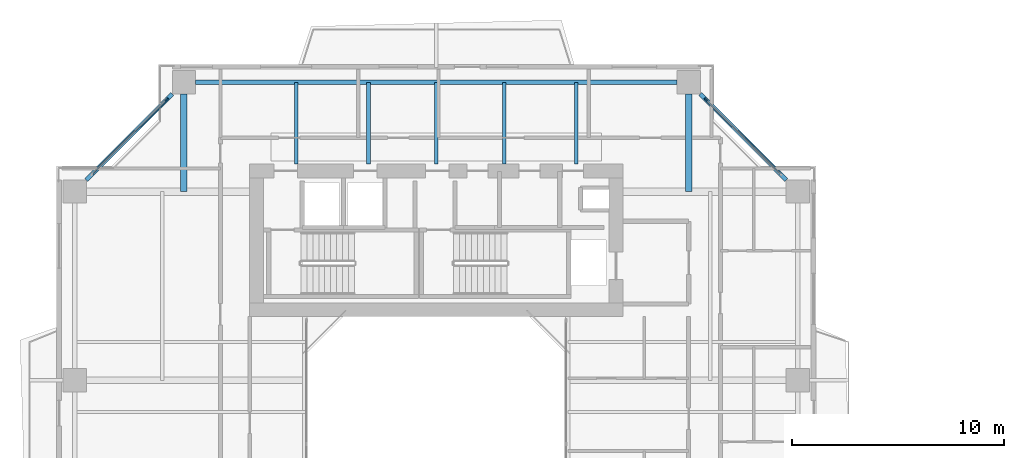
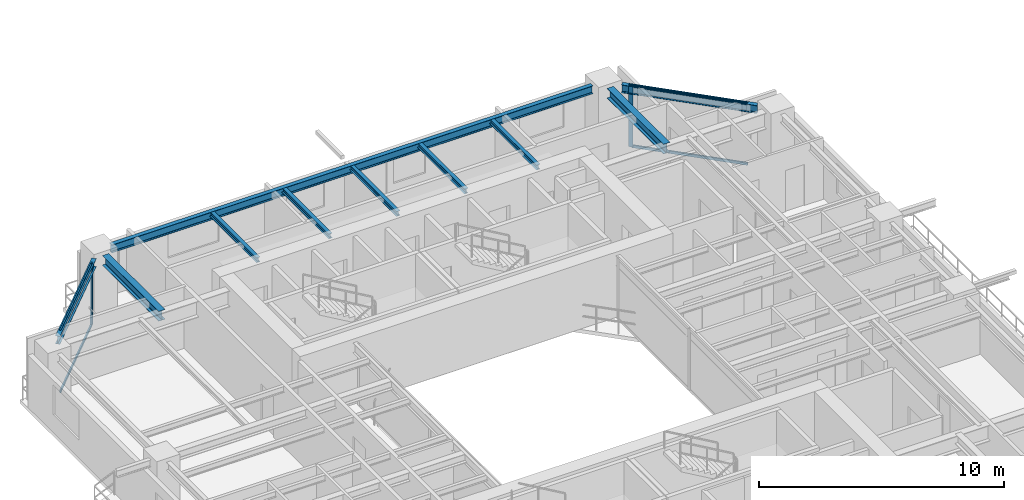
# One storey, part 10 of 23: 10 beams, 6 members, 2 elements without a shape of their own.
"""IFC4 building model written with IfcOpenShell, lengths in metres."""

import ifcopenshell
import ifcopenshell.guid

model = None  # the IFC model being written
_history = None  # IfcOwnerHistory: only IFC2X3 demands one
_inside = {}  # id of a spatial element -> (the spatial element, [elements in it])
_under = {}  # id of a project, library or spatial element -> (it, [spatial elements below it])
_declared = {}  # id of a project -> (the project, [libraries it declares])
_typed = {}  # id of a type object -> (the type object, [elements of that type])
_made_of = {}  # id of a material, layer set ... -> (it, [elements and type objects made of it])


def new_model(schema):
    """Start an empty IFC model of exactly this schema.

    Asked for "IFC4X3", IfcOpenShell would pick the latest addendum, in which some entities
    have other attributes; the version numbers below select the first issue.
    IFC2X3 requires an IfcOwnerHistory on every rooted entity: one is made here for all.
    """
    global model, _history
    if schema == "IFC4X3":
        model = ifcopenshell.file(schema_version=(4, 3, 0, 0))
    else:
        model = ifcopenshell.file(schema=schema)
    _inside.clear()
    _under.clear()
    _declared.clear()
    _typed.clear()
    _made_of.clear()
    _history = None
    if model.schema == "IFC2X3":
        org = make("IfcOrganization", Name="unknown")
        user = make(
            "IfcPersonAndOrganization",
            ThePerson=make("IfcPerson", FamilyName="unknown"),
            TheOrganization=org,
        )
        app = make(
            "IfcApplication",
            ApplicationDeveloper=org,
            Version="unknown",
            ApplicationFullName="unknown",
            ApplicationIdentifier="unknown",
        )
        _history = make(
            "IfcOwnerHistory",
            OwningUser=user,
            OwningApplication=app,
            ChangeAction="ADDED",
            CreationDate=0,
        )
    return model


def make(cls, **values):
    """One entity of the class cls with the attributes given. An attribute that is None is left unset."""
    return model.create_entity(
        cls, **{name: value for name, value in values.items() if value is not None}
    )


def rooted(cls, **values):
    """An entity with a GlobalId (a new one), such as an element, a storey or a relation."""
    return make(cls, GlobalId=ifcopenshell.guid.new(), OwnerHistory=_history, **values)


def si_unit(unit_type, name, prefix=None):
    """IfcSIUnit, for example si_unit("LENGTHUNIT", "METRE", prefix="MILLI")."""
    return make("IfcSIUnit", UnitType=unit_type, Prefix=prefix, Name=name)


def assignment(units):
    """IfcUnitAssignment: the units of a project."""
    return None if units is None else make("IfcUnitAssignment", Units=units)


def point(xyz):
    """IfcCartesianPoint."""
    return None if xyz is None else make("IfcCartesianPoint", Coordinates=xyz)


def direction(xyz):
    """IfcDirection."""
    return None if xyz is None else make("IfcDirection", DirectionRatios=xyz)


def frame(location, z_axis=None, x_axis=None):
    """IfcAxis2Placement3D, a coordinate frame: its origin and axes. An axis left out is left unset."""
    return make(
        "IfcAxis2Placement3D",
        Location=point(location),
        Axis=direction(z_axis),
        RefDirection=direction(x_axis),
    )


def frame_2d(location, x_axis=None):
    """IfcAxis2Placement2D, a coordinate frame in the plane: its origin and x axis."""
    return make(
        "IfcAxis2Placement2D", Location=point(location), RefDirection=direction(x_axis)
    )


def origin():
    """The frame at (0, 0, 0) with its axes left unset."""
    return frame((0.0, 0.0, 0.0))


def origin_2d():
    """The frame at (0, 0) in the plane with its x axis left unset."""
    return frame_2d((0.0, 0.0))


def place(relative_to, where):
    """IfcLocalPlacement: puts the frame where relative to a parent placement (None: the world)."""
    return make(
        "IfcLocalPlacement", PlacementRelTo=relative_to, RelativePlacement=where
    )


def context(
    kind, dimensions, precision=None, world=None, true_north=None, identifier=None
):
    """IfcGeometricRepresentationContext, for example the 3D "Model" context."""
    return make(
        "IfcGeometricRepresentationContext",
        ContextIdentifier=identifier,
        ContextType=kind,
        CoordinateSpaceDimension=dimensions,
        Precision=precision,
        WorldCoordinateSystem=world,
        TrueNorth=true_north,
    )


def subcontext(parent, identifier, kind, view, scale=None):
    """IfcGeometricRepresentationSubContext, for example "Body" below "Model"."""
    return make(
        "IfcGeometricRepresentationSubContext",
        ContextIdentifier=identifier,
        ContextType=kind,
        ParentContext=parent,
        TargetScale=scale,
        TargetView=view,
    )


def project(units=None, contexts=None):
    """IfcProject with its units and contexts."""
    return rooted(
        "IfcProject",
        Name="project",
        RepresentationContexts=contexts,
        UnitsInContext=assignment(units),
    )


def spatial(cls, under=None, at=None, **own):
    """A site, building, storey or space (cls), placed at a placement, below another one or the project."""
    s = rooted(cls, ObjectPlacement=at, **own)
    if under is not None:
        _under.setdefault(under.id(), (under, []))[1].append(s)
    return s


def profile(cls, at=None, kind="AREA", **sizes):
    """A parametric profile (cls). Its sizes go by their IFC names, for example OverallWidth=200.0."""
    return make(cls, ProfileType=kind, Position=at, **sizes)


def rectangle(**sizes):
    """IfcRectangleProfileDef."""
    return profile("IfcRectangleProfileDef", **sizes)


def i_section(**sizes):
    """IfcIShapeProfileDef."""
    return profile("IfcIShapeProfileDef", **sizes)


def extrude(swept, where, along, depth):
    """IfcExtrudedAreaSolid: the profile swept, set in the frame where, extruded along a direction by depth."""
    return make(
        "IfcExtrudedAreaSolid",
        SweptArea=swept,
        Position=where,
        ExtrudedDirection=direction(along),
        Depth=depth,
    )


def shape(context_of_items, identifier, shape_type, items):
    """IfcShapeRepresentation: the items that make up one representation, for example the "Body"."""
    return make(
        "IfcShapeRepresentation",
        ContextOfItems=context_of_items,
        RepresentationIdentifier=identifier,
        RepresentationType=shape_type,
        Items=items,
    )


def source(mapping_origin, context_of_items, identifier, shape_type, items):
    """IfcRepresentationMap: a shape defined once, which mapped items show again and again."""
    return make(
        "IfcRepresentationMap",
        MappingOrigin=mapping_origin,
        MappedRepresentation=shape(context_of_items, identifier, shape_type, items),
    )


def transform(
    local_origin,
    x_axis=None,
    y_axis=None,
    z_axis=None,
    scale=None,
    scale2=None,
    scale3=None,
    uniform=True,
):
    """IfcCartesianTransformationOperator3D, or its non-uniform kind. x_axis, y_axis, z_axis: its Axis1, 2, 3."""
    if uniform:
        return make(
            "IfcCartesianTransformationOperator3D",
            Axis1=direction(x_axis),
            Axis2=direction(y_axis),
            LocalOrigin=point(local_origin),
            Scale=scale,
            Axis3=direction(z_axis),
        )
    return make(
        "IfcCartesianTransformationOperator3DnonUniform",
        Axis1=direction(x_axis),
        Axis2=direction(y_axis),
        LocalOrigin=point(local_origin),
        Scale=scale,
        Axis3=direction(z_axis),
        Scale2=scale2,
        Scale3=scale3,
    )


def mapped(mapping_source, mapping_target):
    """IfcMappedItem: shows the shape of a source again, moved by a transform."""
    return make(
        "IfcMappedItem", MappingSource=mapping_source, MappingTarget=mapping_target
    )


def material(Name=None, Category=None):
    """IfcMaterial."""
    return make("IfcMaterial", Name=Name, Category=Category)


def layer(
    of_material, thickness, ventilated=None, Name=None, Category=None, Priority=None
):
    """IfcMaterialLayer: one layer of a wall or slab, of a material (None: an air gap)."""
    return make(
        "IfcMaterialLayer",
        Material=of_material,
        LayerThickness=thickness,
        IsVentilated=ventilated,
        Name=Name,
        Category=Category,
        Priority=Priority,
    )


def layer_set(layers, Name=None):
    """IfcMaterialLayerSet."""
    return make("IfcMaterialLayerSet", MaterialLayers=layers, LayerSetName=Name)


def material_profile(
    of_material, cross_section, Name=None, Category=None, Priority=None
):
    """IfcMaterialProfile: a cross section and its material."""
    return make(
        "IfcMaterialProfile",
        Name=Name,
        Material=of_material,
        Profile=cross_section,
        Priority=Priority,
        Category=Category,
    )


def profile_set(profiles, Name=None, composite=None):
    """IfcMaterialProfileSet."""
    return make(
        "IfcMaterialProfileSet",
        Name=Name,
        MaterialProfiles=profiles,
        CompositeProfile=composite,
    )


def made_of(thing, what):
    """Note that an element or type object is made of a material, layer set ...; save() writes the relation."""
    if what is not None:
        _made_of.setdefault(what.id(), (what, []))[1].append(thing)
    return thing


def type_object(cls, material=None, **own):
    """A type object (cls), such as IfcWallType, which elements share."""
    return made_of(rooted(cls, **own), material)


def element(
    cls,
    number,
    at=None,
    inside=None,
    cuts=None,
    type_object=None,
    material=None,
    context=None,
    identifier="Body",
    shape_type=None,
    held_by="IfcProductDefinitionShape",
    body=None,
    shapes=None,
    **own,
):
    """One element of the class cls, such as IfcWall. Its Tag is "e" and its number.

    at: its placement. inside: the storey or other place that contains it. cuts: it is an
    opening in that element (IfcRelVoidsElement). A single representation is given by context,
    identifier, shape_type and body (its items); several are given by shapes. held_by: the class
    of the entity that holds the representations. save() writes the other relations.
    """
    e = rooted(cls, Tag="e%d" % number, ObjectPlacement=at, **own)
    if body is not None:
        shapes = [shape(context, identifier, shape_type, body)]
    if shapes is not None:
        e.Representation = make(held_by, Representations=shapes)
    if inside is not None:
        _inside.setdefault(inside.id(), (inside, []))[1].append(e)
    if cuts is not None:
        rooted(
            "IfcRelVoidsElement", RelatingBuildingElement=cuts, RelatedOpeningElement=e
        )
    if type_object is not None:
        _typed.setdefault(type_object.id(), (type_object, []))[1].append(e)
    return made_of(e, material)


def aggregate(whole, parts):
    """IfcRelAggregates: a whole, such as a stair, and the parts it consists of."""
    return rooted("IfcRelAggregates", RelatingObject=whole, RelatedObjects=parts)


def save(model, path):
    """Write the relations noted so far, then the file.

    IfcRelAggregates (storeys below a building ...), IfcRelContainedInSpatialStructure (elements
    in a storey), IfcRelDefinesByType, IfcRelAssociatesMaterial and IfcRelDeclares: one each for
    every whole, place, type object, material and project.
    """
    for whole, parts in _under.values():
        aggregate(whole, parts)
    for where, things in _inside.values():
        rooted(
            "IfcRelContainedInSpatialStructure",
            RelatedElements=things,
            RelatingStructure=where,
        )
    for kind, things in _typed.values():
        rooted("IfcRelDefinesByType", RelatedObjects=things, RelatingType=kind)
    for what, things in _made_of.values():
        rooted("IfcRelAssociatesMaterial", RelatedObjects=things, RelatingMaterial=what)
    for by, libraries in _declared.values():
        rooted("IfcRelDeclares", RelatingContext=by, RelatedDefinitions=libraries)
    model.write(path)


model = new_model("IFC4")

# Units and contexts
model_context = context("Model", 3, precision=1e-05, world=origin(), true_north=direction((0.0, 1.0)))
body_context = subcontext(model_context, "Body", "Model", "MODEL_VIEW")
ifc_project = project(units=[si_unit("LENGTHUNIT", "METRE"), si_unit("AREAUNIT", "SQUARE_METRE"), si_unit("VOLUMEUNIT", "CUBIC_METRE"), si_unit("PLANEANGLEUNIT", "RADIAN"), si_unit("MASSUNIT", "GRAM", prefix="KILO"), si_unit("THERMODYNAMICTEMPERATUREUNIT", "KELVIN"), si_unit("POWERUNIT", "WATT")], contexts=[model_context])

# Site, building, storey
site_placement = place(None, origin())
site = spatial("IfcSite", under=ifc_project, at=site_placement, CompositionType="ELEMENT")
building_placement = place(site_placement, origin())
building = spatial("IfcBuilding", under=site, at=building_placement, Name="Qiaomeng Ring Towers", CompositionType="ELEMENT")
storey_placement = place(building_placement, frame((0.0, 0.0, 100.25)))
storey = spatial("IfcBuildingStorey", under=building, at=storey_placement, Name="L28", CompositionType="ELEMENT", Elevation=100.25)

# Beams
ifc_material_1 = material(Name="Steel Q355B", Category="steel")
ifc_material_profile_1 = material_profile(ifc_material_1, i_section(OverallWidth=0.199951171875, OverallDepth=0.39990234375, WebThickness=0.008056640625, FlangeThickness=0.012939453125, FilletRadius=0.01611328125, at=origin_2d()), Name="HN 400x200x8x13")
ifc_profile_set_1 = profile_set([ifc_material_profile_1], Name="Steel Q355B")
beam_type_1 = type_object("IfcBeamType", Name="STR-BM-HN400", PredefinedType="SPANDREL", material=ifc_profile_set_1)
shared_shape_1 = source(origin(), body_context, "Body", "SweptSolid", [
    extrude(i_section(OverallWidth=0.199951171875, OverallDepth=0.39990234375, WebThickness=0.008056640625, FlangeThickness=0.012939453125, FilletRadius=0.01611328125, at=origin_2d()), origin(), (0.0, 0.0, 1.0), 22.7021484375),
])
beam_placement = place(storey_placement, frame((30.35107421875, 40.050048828125, 2.8701171875), z_axis=(-1.0, 0.0, 0.0), x_axis=(0.0, -1.0, 0.0)))
element("IfcBeam", 1, at=beam_placement, inside=storey, type_object=beam_type_1, Name="L28 beam STR-SP-L28-T1-N2-N1", PredefinedType="SPANDREL", context=body_context, shape_type="MappedRepresentation", body=[
    mapped(shared_shape_1, transform((0.0, 0.0, 0.0), x_axis=(1.0, 0.0, 0.0), y_axis=(0.0, 1.0, 0.0), z_axis=(0.0, 0.0, 1.0), scale=1.0)),
])
shared_shape_2 = source(origin(), body_context, "Body", "SweptSolid", [
    extrude(i_section(OverallWidth=0.199951171875, OverallDepth=0.39990234375, WebThickness=0.008056640625, FlangeThickness=0.012939453125, FilletRadius=0.01611328125, at=origin_2d()), origin(), (0.0, 0.0, 1.0), 5.729736328125),
])
for number, where, z_axis, x_axis, name in (
    (2, (35.500732421875, 35.44921875, 2.8701171875), (-0.707106781187, 0.707106781187, 0.0), (-0.707106781187, -0.707106781187, 0.0), "L28 beam STR-SP-L28-T1-E4-N2"),
    (3, (6.55078125, 39.500732421875, 2.8701171875), (-0.707106781187, -0.707106781187, 0.0), (0.707106781187, -0.707106781187, 0.0), "L28 beam STR-SP-L28-T1-N1-W4"),
):
    element("IfcBeam", number, at=place(storey_placement, frame(where, z_axis=z_axis, x_axis=x_axis)), inside=storey, type_object=beam_type_1, Name=name, PredefinedType="SPANDREL", context=body_context, shape_type="MappedRepresentation", body=[
        mapped(shared_shape_2, transform((0.0, 0.0, 0.0), x_axis=(1.0, 0.0, 0.0), y_axis=(0.0, 1.0, 0.0), z_axis=(0.0, 0.0, 1.0), scale=1.0)),
    ])
ifc_material_profile_2 = material_profile(ifc_material_1, i_section(OverallWidth=0.300048828125, OverallDepth=0.488037109375, WebThickness=0.010986328125, FlangeThickness=0.01806640625, FilletRadius=0.02587890625, at=origin_2d()), Name="HM 488x300x11x18")
ifc_profile_set_2 = profile_set([ifc_material_profile_2], Name="Steel Q355B")
beam_type_2 = type_object("IfcBeamType", Name="STR-BM-HM488", PredefinedType="BEAM", material=ifc_profile_set_2)
shared_shape_3 = source(origin(), body_context, "Body", "SweptSolid", [
    extrude(i_section(OverallWidth=0.300048828125, OverallDepth=0.488037109375, WebThickness=0.010986328125, FlangeThickness=0.01806640625, FilletRadius=0.02587890625, at=origin_2d()), origin(), (0.0, 0.0, 1.0), 4.60107421875),
])
for number, where, z_axis, x_axis, name in (
    (4, (7.10009765625, 39.5009765625, 2.825927734375), (0.0, -1.0, 0.0), (1.0, 0.0, 0.0), "L28 beam STR-BM-L28-T1-RAD-N1"),
    (5, (30.89990234375, 39.5009765625, 2.825927734375), (0.0, -1.0, 0.0), (1.0, 0.0, 0.0), "L28 beam STR-BM-L28-T1-RAD-N2"),
):
    element("IfcBeam", number, at=place(storey_placement, frame(where, z_axis=z_axis, x_axis=x_axis)), inside=storey, type_object=beam_type_2, Name=name, PredefinedType="BEAM", context=body_context, shape_type="MappedRepresentation", body=[
        mapped(shared_shape_3, transform((0.0, 0.0, 0.0), x_axis=(1.0, 0.0, 0.0), y_axis=(0.0, 1.0, 0.0), z_axis=(0.0, 0.0, 1.0), scale=1.0)),
    ])
ifc_material_profile_3 = material_profile(ifc_material_1, i_section(OverallWidth=0.175048828125, OverallDepth=0.243896484375, WebThickness=0.007080078125, FlangeThickness=0.010986328125, FilletRadius=0.01611328125, at=origin_2d()), Name="HM 244x175x7x11")
ifc_profile_set_3 = profile_set([ifc_material_profile_3], Name="Steel Q355B")
beam_type_3 = type_object("IfcBeamType", Name="STR-BM-HM244", PredefinedType="JOIST", material=ifc_profile_set_3)
shared_shape_4 = source(origin(), body_context, "Body", "SweptSolid", [
    extrude(i_section(OverallWidth=0.175048828125, OverallDepth=0.243896484375, WebThickness=0.007080078125, FlangeThickness=0.010986328125, FilletRadius=0.01611328125, at=origin_2d()), origin(), (0.0, 0.0, 1.0), 3.85009765625),
])
for number, where, z_axis, x_axis, name in (
    (6, (12.39990234375, 36.199951171875, 2.947998046875), (0.0, 1.0, 0.0), (-1.0, 0.0, 0.0), "L28 beam STR-JST-L28-T1N-1"),
    (7, (15.800048828125, 36.199951171875, 2.947998046875), (0.0, 1.0, 0.0), (-1.0, 0.0, 0.0), "L28 beam STR-JST-L28-T1N-2"),
    (8, (19.0, 36.199951171875, 2.947998046875), (0.0, 1.0, 0.0), (-1.0, 0.0, 0.0), "L28 beam STR-JST-L28-T1N-3"),
    (9, (22.199951171875, 36.199951171875, 2.947998046875), (0.0, 1.0, 0.0), (-1.0, 0.0, 0.0), "L28 beam STR-JST-L28-T1N-4"),
    (10, (25.60009765625, 36.199951171875, 2.947998046875), (0.0, 1.0, 0.0), (-1.0, 0.0, 0.0), "L28 beam STR-JST-L28-T1N-5"),
):
    element("IfcBeam", number, at=place(storey_placement, frame(where, z_axis=z_axis, x_axis=x_axis)), inside=storey, type_object=beam_type_3, Name=name, PredefinedType="JOIST", context=body_context, shape_type="MappedRepresentation", body=[
        mapped(shared_shape_4, transform((0.0, 0.0, 0.0), x_axis=(1.0, 0.0, 0.0), y_axis=(0.0, 1.0, 0.0), z_axis=(0.0, 0.0, 1.0), scale=1.0)),
    ])

# Curtain wall, member
ifc_material_2 = material(Name="Fluorocarbon dark-grey aluminium", Category="aluminium")
ifc_layer = layer(ifc_material_2, 0.14990234375, Name="Fluorocarbon dark-grey aluminium")
ifc_layer_set = layer_set([ifc_layer], Name="Fluorocarbon dark-grey aluminium")
curtain_wall_type = type_object("IfcCurtainWallType", Name="ARC-CW-3", PredefinedType="NOTDEFINED", material=ifc_layer_set)
curtain_wall_1_placement = place(storey_placement, origin())
curtain_wall_1 = element("IfcCurtainWall", 11, at=curtain_wall_1_placement, inside=storey, type_object=curtain_wall_type, Name="L28 Curtain Wall CW3", PredefinedType="NOTDEFINED")
ifc_material_profile_4 = material_profile(ifc_material_2, rectangle(XDim=0.070068359375, YDim=0.179931640625, at=origin_2d()), Name="ALU MULL 70x180")
ifc_profile_set_4 = profile_set([ifc_material_profile_4], Name="Fluorocarbon dark-grey aluminium")
member_type_1 = type_object("IfcMemberType", Name="ARC-CWM-160", PredefinedType="MULLION", material=ifc_profile_set_4)
shared_shape_5 = source(origin(), body_context, "Body", "SweptSolid", [
    extrude(rectangle(XDim=0.070068359375, YDim=0.179931640625, at=origin_2d()), origin(), (0.0, 0.0, 1.0), 3.070068359375),
])
member_1_placement = place(storey_placement, frame((31.71484375, 39.2353515625, 0.0), z_axis=(0.0, 0.0, 1.0), x_axis=(-0.707106781187, -0.707106781187, 0.0)))
member_1 = element("IfcMember", 12, at=member_1_placement, type_object=member_type_1, Name="CW3 mullion 2", PredefinedType="MULLION", context=body_context, shape_type="MappedRepresentation", body=[
    mapped(shared_shape_5, transform((0.0, 0.0, 0.0), x_axis=(1.0, 0.0, 0.0), y_axis=(0.0, 1.0, 0.0), z_axis=(0.0, 0.0, 1.0), scale=1.0)),
])

curtain_wall_2_placement = place(storey_placement, origin())
curtain_wall_2 = element("IfcCurtainWall", 13, at=curtain_wall_2_placement, inside=storey, type_object=curtain_wall_type, Name="L28 Curtain Wall CW3", PredefinedType="NOTDEFINED")
member_2_placement = place(storey_placement, frame((6.28515625, 39.2353515625, 0.0), z_axis=(0.0, 0.0, 1.0), x_axis=(0.707106781187, -0.707106781187, 0.0)))
member_2 = element("IfcMember", 14, at=member_2_placement, type_object=member_type_1, Name="CW3 mullion 1", PredefinedType="MULLION", context=body_context, shape_type="MappedRepresentation", body=[
    mapped(shared_shape_5, transform((0.0, 0.0, 0.0), x_axis=(1.0, 0.0, 0.0), y_axis=(0.0, 1.0, 0.0), z_axis=(0.0, 0.0, 1.0), scale=1.0)),
])

# Member
ifc_material_profile_5 = material_profile(ifc_material_2, rectangle(XDim=0.06494140625, YDim=0.1298828125, at=origin_2d()), Name="ALU TRAN 65x130")
ifc_profile_set_5 = profile_set([ifc_material_profile_5], Name="Fluorocarbon dark-grey aluminium")
member_type_2 = type_object("IfcMemberType", Name="ARC-CWT-120", PredefinedType="USERDEFINED", material=ifc_profile_set_5)
shared_shape_6 = source(origin(), body_context, "Body", "SweptSolid", [
    extrude(rectangle(XDim=0.06494140625, YDim=0.1298828125, at=origin_2d()), origin(), (0.0, 0.0, 1.0), 4.90869140625),
])
member_3_placement = place(storey_placement, frame((35.21044921875, 35.739501953125, 0.032470703125), z_axis=(-0.707106781187, 0.707106781187, 0.0), x_axis=(-0.707106781187, -0.707106781187, 0.0)))
member_3 = element("IfcMember", 15, at=member_3_placement, type_object=member_type_2, Name="CW3 transom 1.1", ObjectType="TRANSOM", PredefinedType="USERDEFINED", context=body_context, shape_type="MappedRepresentation", body=[
    mapped(shared_shape_6, transform((0.0, 0.0, 0.0), x_axis=(1.0, 0.0, 0.0), y_axis=(0.0, 1.0, 0.0), z_axis=(0.0, 0.0, 1.0), scale=1.0)),
])

member_4_placement = place(storey_placement, frame((35.21044921875, 35.739501953125, 3.03759765625), z_axis=(-0.707106781187, 0.707106781187, 0.0), x_axis=(-0.707106781187, -0.707106781187, 0.0)))
member_4 = element("IfcMember", 16, at=member_4_placement, type_object=member_type_2, Name="CW3 transom 1.2", ObjectType="TRANSOM", PredefinedType="USERDEFINED", context=body_context, shape_type="MappedRepresentation", body=[
    mapped(shared_shape_6, transform((0.0, 0.0, 0.0), x_axis=(1.0, 0.0, 0.0), y_axis=(0.0, 1.0, 0.0), z_axis=(0.0, 0.0, 1.0), scale=1.0)),
])

aggregate(curtain_wall_1, [member_1, member_3, member_4])

member_5_placement = place(storey_placement, frame((6.260498046875, 39.21044921875, 0.032470703125), z_axis=(-0.707106781187, -0.707106781187, 0.0), x_axis=(0.707106781187, -0.707106781187, 0.0)))
member_5 = element("IfcMember", 17, at=member_5_placement, type_object=member_type_2, Name="CW3 transom 1.1", ObjectType="TRANSOM", PredefinedType="USERDEFINED", context=body_context, shape_type="MappedRepresentation", body=[
    mapped(shared_shape_6, transform((0.0, 0.0, 0.0), x_axis=(1.0, 0.0, 0.0), y_axis=(0.0, 1.0, 0.0), z_axis=(0.0, 0.0, 1.0), scale=1.0)),
])

member_6_placement = place(storey_placement, frame((6.260498046875, 39.21044921875, 3.03759765625), z_axis=(-0.707106781187, -0.707106781187, 0.0), x_axis=(0.707106781187, -0.707106781187, 0.0)))
member_6 = element("IfcMember", 18, at=member_6_placement, type_object=member_type_2, Name="CW3 transom 1.2", ObjectType="TRANSOM", PredefinedType="USERDEFINED", context=body_context, shape_type="MappedRepresentation", body=[
    mapped(shared_shape_6, transform((0.0, 0.0, 0.0), x_axis=(1.0, 0.0, 0.0), y_axis=(0.0, 1.0, 0.0), z_axis=(0.0, 0.0, 1.0), scale=1.0)),
])

aggregate(curtain_wall_2, [member_2, member_5, member_6])

save(model, "model.ifc")
